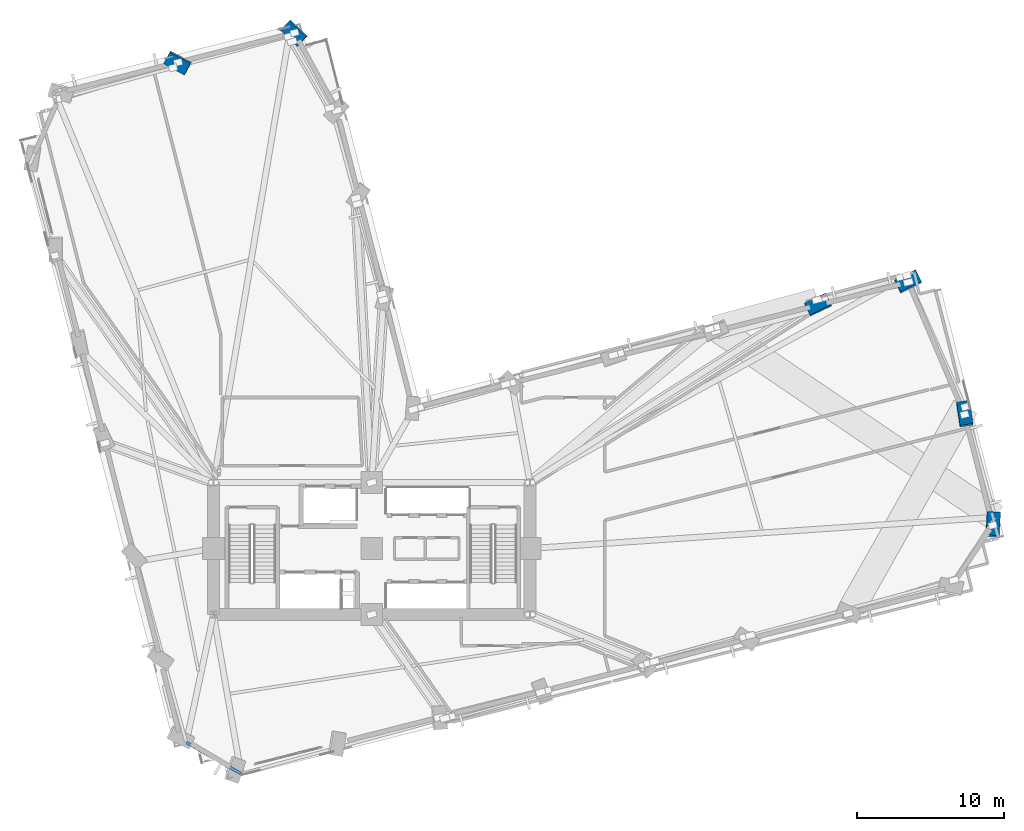
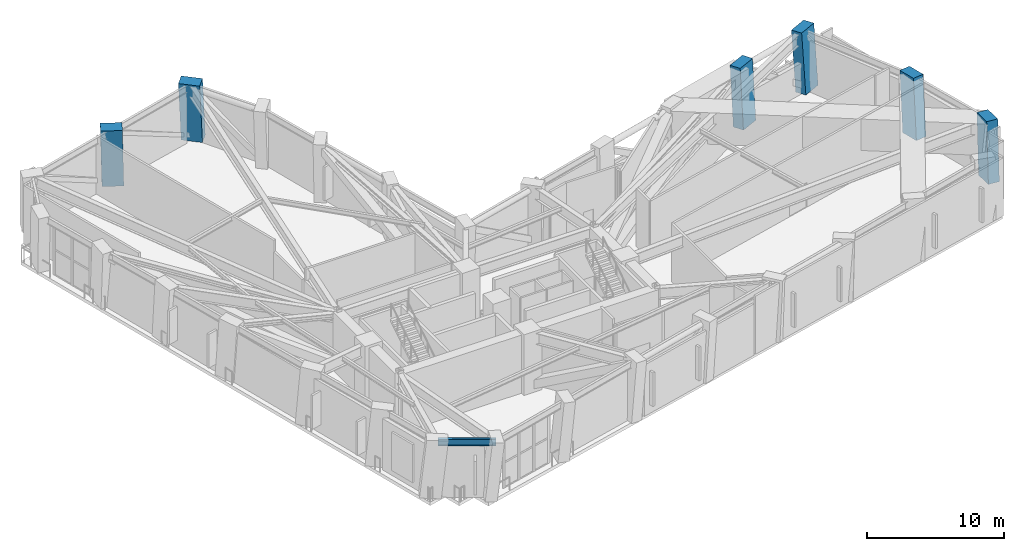
# One storey, part 2 of 17: 6 columns, 1 beam.
"""IFC4 building model written with IfcOpenShell, lengths in metres."""

from ifc_helpers import new_model, si_unit, direction, frame, origin, origin_2d, place, context, subcontext, project, spatial, rectangle, i_section, extrude, material, material_profile, profile_set, type_object, element, save


model = new_model("IFC4")

# Units and contexts
model_context = context("Model", 3, precision=1e-05, world=origin(), true_north=direction((0.0, 1.0)))
body_context = subcontext(model_context, "Body", "Model", "MODEL_VIEW")
ifc_project = project(units=[si_unit("LENGTHUNIT", "METRE"), si_unit("AREAUNIT", "SQUARE_METRE"), si_unit("VOLUMEUNIT", "CUBIC_METRE"), si_unit("PLANEANGLEUNIT", "RADIAN"), si_unit("MASSUNIT", "GRAM", prefix="KILO")], contexts=[model_context])

# Site, building, storey
site_placement = place(None, origin())
site = spatial("IfcSite", under=ifc_project, at=site_placement, CompositionType="ELEMENT")
building_placement = place(site_placement, origin())
building = spatial("IfcBuilding", under=site, at=building_placement, Name="Gaonmaruhae Medical Tower", CompositionType="ELEMENT")
storey_placement = place(building_placement, frame((0.0, 0.0, 83.0)))
storey = spatial("IfcBuildingStorey", under=building, at=storey_placement, Name="L19", CompositionType="ELEMENT", Elevation=83.0)

# Columns
ifc_material_1 = material(Name="Concrete C60/75", Category="concrete")
ifc_material_profile_1 = material_profile(ifc_material_1, rectangle(XDim=1.60009765625, YDim=0.89990234375, at=origin_2d()), Name="RC-1600x900")
ifc_profile_set_1 = profile_set([ifc_material_profile_1], Name="Concrete C60/75")
column_type = type_object("IfcColumnType", Name="TC-01 Lower Raking Tube Pier Column (RC-1600x900)", PredefinedType="COLUMN", material=ifc_profile_set_1)
column_1_placement = place(storey_placement, frame((67.1748046875, 13.8876953125, 0.097900390625), z_axis=(0.032461419662, 0.102747855626, 0.994177617128), x_axis=(-0.05556838834, -0.992977747849, 0.104438242484)))
element("IfcColumn", 1, at=column_1_placement, inside=storey, type_object=column_type, Name="L19 Perimeter Tube Column E01", PredefinedType="COLUMN", context=body_context, shape_type="SweptSolid", body=[
    extrude(rectangle(XDim=1.60009765625, YDim=0.89990234375, at=origin_2d()), origin(), (0.0, 0.0, 1.0), 5.234619140625),
])
column_2_placement = place(storey_placement, frame((65.25244140625, 21.4462890625, 0.088623046875), z_axis=(0.009444522735, 0.096817989218, 0.995257292339), x_axis=(0.151335612875, -0.983975600479, 0.094284409835)))
element("IfcColumn", 2, at=column_2_placement, inside=storey, type_object=column_type, Name="L19 Perimeter Tube Column E02", PredefinedType="COLUMN", context=body_context, shape_type="SweptSolid", body=[
    extrude(rectangle(XDim=1.60009765625, YDim=0.89990234375, at=origin_2d()), origin(), (0.0, 0.0, 1.0), 5.24755859375),
])
column_3_placement = place(storey_placement, frame((61.408935546875, 30.474853515625, 0.057373046875), z_axis=(-0.018039563385, 0.084905598073, 0.996225684054), x_axis=(-0.897104092949, -0.44130230802, 0.021366313464)))
element("IfcColumn", 3, at=column_3_placement, inside=storey, type_object=column_type, Name="L19 Perimeter Tube Column E03", PredefinedType="COLUMN", context=body_context, shape_type="SweptSolid", body=[
    extrude(rectangle(XDim=1.60009765625, YDim=0.89990234375, at=origin_2d()), origin(), (0.0, 0.0, 1.0), 5.30517578125),
])
column_4_placement = place(storey_placement, frame((55.2548828125, 28.909912109375, 0.045166015625), z_axis=(-0.013166481247, 0.066245292405, 0.997716495306), x_axis=(-0.902760656839, -0.429821812754, 0.016625454713)))
element("IfcColumn", 4, at=column_4_placement, inside=storey, type_object=column_type, Name="L19 Perimeter Tube Column EN01", PredefinedType="COLUMN", context=body_context, shape_type="SweptSolid", body=[
    extrude(rectangle(XDim=1.60009765625, YDim=0.89990234375, at=origin_2d()), origin(), (0.0, 0.0, 1.0), 5.32177734375),
])
column_5_placement = place(storey_placement, frame((19.529296875, 47.48291015625, 0.05419921875), z_axis=(-0.069068094899, -0.043592912093, 0.996659047158), x_axis=(0.72478005335, -0.688686927619, 0.020104476919)))
element("IfcColumn", 5, at=column_5_placement, inside=storey, type_object=column_type, Name="L19 Perimeter Tube Column N01", PredefinedType="COLUMN", context=body_context, shape_type="SweptSolid", body=[
    extrude(rectangle(XDim=1.60009765625, YDim=0.89990234375, at=origin_2d()), origin(), (0.0, 0.0, 1.0), 5.309326171875),
])
column_6_placement = place(storey_placement, frame((11.58154296875, 45.462890625, 0.06103515625), z_axis=(-0.062638866982, -0.067843419901, 0.995727695065), x_axis=(0.87838795035, -0.477407566324, 0.022729370798)))
element("IfcColumn", 6, at=column_6_placement, inside=storey, type_object=column_type, Name="L19 Perimeter Tube Column N02", PredefinedType="COLUMN", context=body_context, shape_type="SweptSolid", body=[
    extrude(rectangle(XDim=1.60009765625, YDim=0.89990234375, at=origin_2d()), origin(), (0.0, 0.0, 1.0), 5.30078125),
])

# Beam
ifc_material_2 = material(Name="Steel SM355", Category="steel")
ifc_material_profile_2 = material_profile(ifc_material_2, i_section(OverallWidth=0.199951171875, OverallDepth=0.60009765625, WebThickness=0.010986328125, FlangeThickness=0.01708984375, FilletRadius=0.012939453125, at=origin_2d()), Name="H-600x200x11x17")
ifc_profile_set_2 = profile_set([ifc_material_profile_2], Name="Steel SM355")
beam_type = type_object("IfcBeamType", Name="SP-01 Lower Perimeter Spandrel Beam (H-600x200x11x17)", PredefinedType="SPANDREL", material=ifc_profile_set_2)
beam_placement = place(storey_placement, frame((12.178955078125, -0.9453125, 4.8798828125), z_axis=(0.8677778427, -0.496952327411, 0.0), x_axis=(0.496952327411, 0.8677778427, 0.0)))
element("IfcBeam", 7, at=beam_placement, inside=storey, type_object=beam_type, Name="L19 Perimeter Spandrel Beam W07-S01", PredefinedType="SPANDREL", context=body_context, shape_type="SweptSolid", body=[
    extrude(i_section(OverallWidth=0.199951171875, OverallDepth=0.60009765625, WebThickness=0.010986328125, FlangeThickness=0.01708984375, FilletRadius=0.012939453125, at=origin_2d()), origin(), (0.0, 0.0, 1.0), 4.2333984375),
])

save(model, "model.ifc")
